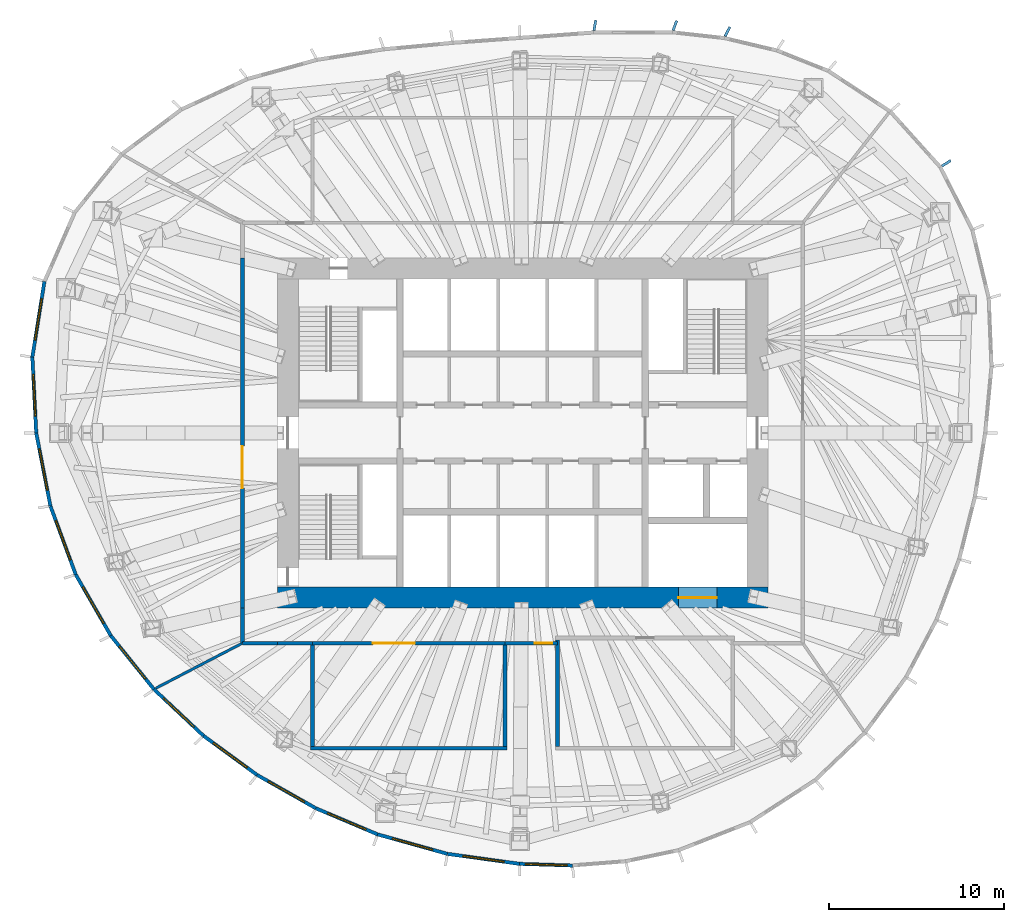
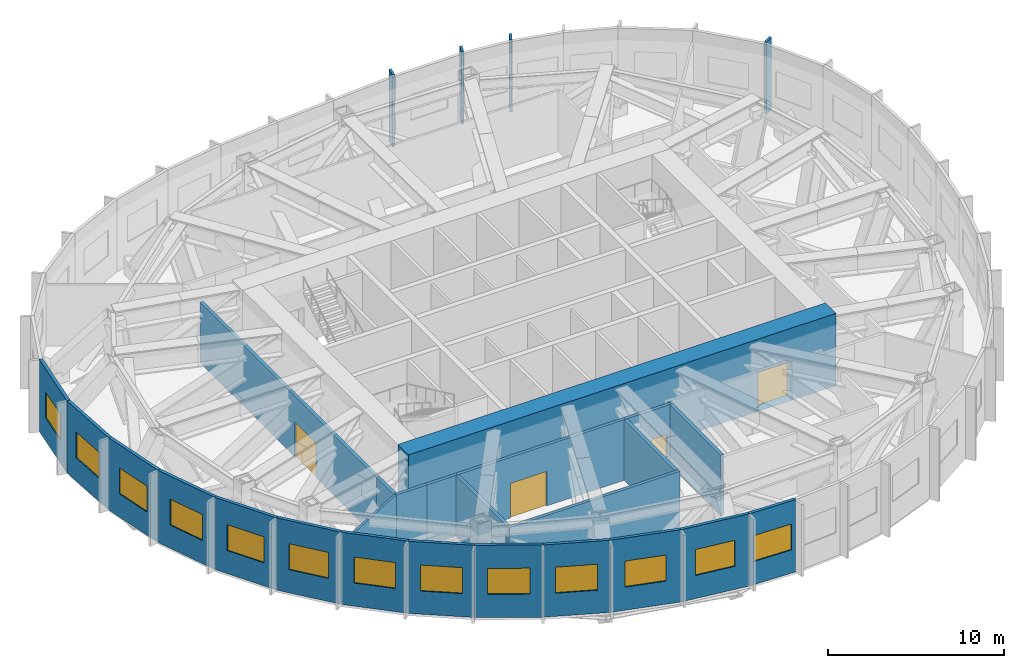
# One storey, part 6 of 11: 25 walls, 13 windows, 4 doors, 4 plates, 17 openings.
"""IFC4 building model written with IfcOpenShell, lengths in metres."""

from ifc_helpers import new_model, si_unit, direction, frame, frame_2d, origin, origin_2d, place, context, subcontext, project, spatial, rectangle, extrude, material, layer, layer_set, type_object, element, fill, save


model = new_model("IFC4")

# Units and contexts
model_context = context("Model", 3, precision=1e-05, world=origin(), true_north=direction((0.0, 1.0)))
body_context = subcontext(model_context, "Body", "Model", "MODEL_VIEW")
ifc_project = project(units=[si_unit("LENGTHUNIT", "METRE"), si_unit("AREAUNIT", "SQUARE_METRE"), si_unit("VOLUMEUNIT", "CUBIC_METRE"), si_unit("PLANEANGLEUNIT", "RADIAN"), si_unit("MASSUNIT", "GRAM", prefix="KILO")], contexts=[model_context])

# Site, building, storey
site_placement = place(None, origin())
site = spatial("IfcSite", under=ifc_project, at=site_placement, CompositionType="ELEMENT")
building_placement = place(site_placement, origin())
building = spatial("IfcBuilding", under=site, at=building_placement, Name="Ghaith Harvest Tower", CompositionType="ELEMENT")
storey_placement = place(building_placement, frame((0.0, 0.0, 266.199951171875)))
storey = spatial("IfcBuildingStorey", under=building, at=storey_placement, Name="L59", CompositionType="ELEMENT", Elevation=266.199951171875)

# Plates
ifc_material_1 = material(Name="Glassfibre-reinforced concrete", Category="concrete")
ifc_layer_1 = layer(ifc_material_1, 0.14990234375)
ifc_layer_set_1 = layer_set([ifc_layer_1], Name="SUN-BREAKER FIN 600x150")
plate_type = type_object("IfcPlateType", Name="SUN-BREAKER FIN 600x150", PredefinedType="USERDEFINED", material=ifc_layer_set_1)
for number, where, z_axis, x_axis, name in (
    (1, (24.19482421875, 15.397705078125, 0.0), (0.0, 0.0, 1.0), (0.843643971464, 0.536903016766, 0.0), "Sun-breaker fin 03.1 L59"),
    (2, (11.699951171875, 22.91796875, 0.0), (0.0, 0.0, 1.0), (0.454690809683, 0.890649351647, 0.0), "Sun-breaker fin 04.3 L59"),
    (3, (8.697265625, 23.26513671875, 0.0), (0.0, 0.0, 1.0), (0.35016769709, 0.936687025593, 0.0), "Sun-breaker fin 05.1 L59"),
    (4, (4.125732421875, 23.2734375, 0.0), (0.0, 0.0, 1.0), (0.174554362122, 0.984647538292, 0.0), "Sun-breaker fin 05.2 L59"),
):
    element("IfcPlate", number, at=place(storey_placement, frame(where, z_axis=z_axis, x_axis=x_axis)), inside=storey, type_object=plate_type, Name=name, ObjectType="SUN-BREAKER FIN", PredefinedType="USERDEFINED", context=body_context, shape_type="SweptSolid", body=[
        extrude(rectangle(XDim=0.60009765625, YDim=0.14990234375, at=origin_2d()), origin(), (0.0, 0.0, 1.0), 5.0),
    ])

# Walls
ifc_material_2 = material(Name="Concrete blockwork, 1-hour", Category="masonry")
ifc_layer_2 = layer(ifc_material_2, 0.215087890625)
ifc_layer_set_2 = layer_set([ifc_layer_2], Name="BLOCKWORK WALL 215")
wall_type_1 = type_object("IfcWallType", Name="BLOCKWORK WALL 215", PredefinedType="PARTITIONING", material=ifc_layer_set_2)
for number, where, z_axis, x_axis, name in (
    (5, (-16.0, -12.0, 0.0), (0.0, 0.0, 1.0), (1.0, 0.0, 0.0), "Plant room wall L59"),
    (6, (-14.0, -12.0, 0.0), (0.0, 0.0, 1.0), (1.0, 0.0, 0.0), "Plant room wall L59"),
):
    element("IfcWall", number, at=place(storey_placement, frame(where, z_axis=z_axis, x_axis=x_axis)), inside=storey, type_object=wall_type_1, Name=name, PredefinedType="PARTITIONING", context=body_context, shape_type="SweptSolid", body=[
        extrude(rectangle(XDim=2.0, YDim=0.215087890625, at=frame_2d((1.0, 0.0))), origin(), (0.0, 0.0, 1.0), 4.199951171875),
    ])

# Wall, opening, door
wall_1_placement = place(storey_placement, frame((-1.0, -12.0, 0.0), z_axis=(0.0, 0.0, 1.0), x_axis=(1.0, 0.0, 0.0)))
wall_1 = element("IfcWall", 7, at=wall_1_placement, inside=storey, type_object=wall_type_1, Name="Plant room wall L59", PredefinedType="PARTITIONING", context=body_context, shape_type="SweptSolid", body=[
    extrude(rectangle(XDim=3.0, YDim=0.215087890625, at=frame_2d((1.5, 0.0))), origin(), (0.0, 0.0, 1.0), 4.199951171875),
])
opening_1_placement = place(wall_1_placement, frame((1.699951171875, 0.0, 0.0)))
opening_1 = element("IfcOpeningElement", 8, at=opening_1_placement, cuts=wall_1, Name="Opening 59-026", PredefinedType="OPENING", context=body_context, shape_type="SweptSolid", body=[
    extrude(rectangle(XDim=1.0, YDim=2.199951171875, at=frame_2d((0.5, 1.10009765625))), frame((0.0, 0.11767578125, 0.0), z_axis=(0.0, -1.0, 0.0), x_axis=(1.0, 0.0, 0.0)), (0.0, 0.0, 1.0), 0.235107421875),
])
ifc_material_3 = material(Name="Timber door", Category="wood")
door_type_1 = type_object("IfcDoorType", Name="D1 SINGLE 1000x2200", OperationType="SINGLE_SWING_LEFT", PredefinedType="DOOR", material=ifc_material_3)
door_1_placement = place(opening_1_placement, origin())
door_1 = element("IfcDoor", 9, at=door_1_placement, inside=storey, type_object=door_type_1, Name="Pump room south door", OperationType="SINGLE_SWING_RIGHT", OverallHeight=2.199951171875, OverallWidth=1.0, PredefinedType="DOOR", context=body_context, shape_type="SweptSolid", body=[
    extrude(rectangle(XDim=1.0, YDim=2.199951171875, at=frame_2d((0.5, 1.10009765625))), frame((0.0, 0.02490234375, 0.0), z_axis=(0.0, -1.0, 0.0), x_axis=(1.0, 0.0, 0.0)), (0.0, 0.0, 1.0), 0.050048828125),
])
fill(opening_1, door_1)

wall_2_placement = place(storey_placement, frame((-16.0, 10.0, 0.0), z_axis=(0.0, 0.0, 1.0), x_axis=(0.0, -1.0, 0.0)))
wall_2 = element("IfcWall", 10, at=wall_2_placement, inside=storey, type_object=wall_type_1, Name="Plant room wall L59", PredefinedType="PARTITIONING", context=body_context, shape_type="SweptSolid", body=[
    extrude(rectangle(XDim=20.0, YDim=0.215087890625, at=frame_2d((10.0, 0.0))), origin(), (0.0, 0.0, 1.0), 4.199951171875),
])
opening_2_placement = place(wall_2_placement, frame((10.75, 0.0, 0.0)))
opening_2 = element("IfcOpeningElement", 11, at=opening_2_placement, cuts=wall_2, Name="Opening 59-027", PredefinedType="OPENING", context=body_context, shape_type="SweptSolid", body=[
    extrude(rectangle(XDim=2.39990234375, YDim=2.39990234375, at=frame_2d((1.199951171875, 1.199951171875))), frame((0.0, 0.11767578125, 0.0), z_axis=(0.0, -1.0, 0.0), x_axis=(1.0, 0.0, 0.0)), (0.0, 0.0, 1.0), 0.235107421875),
])
ifc_material_4 = material(Name="Timber door", Category="wood")
door_type_2 = type_object("IfcDoorType", Name="D10 PLANT PAIR 2400x2400", OperationType="DOUBLE_DOOR_SINGLE_SWING", PredefinedType="DOOR", material=ifc_material_4)
door_2_placement = place(opening_2_placement, origin())
door_2 = element("IfcDoor", 12, at=door_2_placement, inside=storey, type_object=door_type_2, Name="Mechanical plant room west door", OperationType="DOUBLE_DOOR_SINGLE_SWING", OverallHeight=2.39990234375, OverallWidth=2.39990234375, PredefinedType="DOOR", context=body_context, shape_type="SweptSolid", body=[
    extrude(rectangle(XDim=2.39990234375, YDim=2.39990234375, at=frame_2d((1.199951171875, 1.199951171875))), frame((0.0, 0.02490234375, 0.0), z_axis=(0.0, -1.0, 0.0), x_axis=(1.0, 0.0, 0.0)), (0.0, 0.0, 1.0), 0.050048828125),
])
fill(opening_2, door_2)

# Walls
wall_3_placement = place(storey_placement, frame((-16.0, -10.0, 0.0), z_axis=(0.0, 0.0, 1.0), x_axis=(0.0, -1.0, 0.0)))
element("IfcWall", 13, at=wall_3_placement, inside=storey, type_object=wall_type_1, Name="Plant room wall L59", PredefinedType="PARTITIONING", context=body_context, shape_type="SweptSolid", body=[
    extrude(rectangle(XDim=2.0, YDim=0.215087890625, at=frame_2d((1.0, 0.0))), origin(), (0.0, 0.0, 1.0), 4.199951171875),
])
wall_4_placement = place(storey_placement, frame((-12.107421875, -18.0, 0.0), z_axis=(0.0, 0.0, 1.0), x_axis=(1.0, 0.0, 0.0)))
element("IfcWall", 14, at=wall_4_placement, inside=storey, type_object=wall_type_1, Name="Partition L59-02", PredefinedType="PARTITIONING", context=body_context, shape_type="SweptSolid", body=[
    extrude(rectangle(XDim=11.21484375, YDim=0.215087890625, at=frame_2d((5.607421875, 0.0))), origin(), (0.0, 0.0, 1.0), 4.199951171875),
])

# Wall, opening, door
wall_5_placement = place(storey_placement, frame((-12.107421875, -12.0, 0.0), z_axis=(0.0, 0.0, 1.0), x_axis=(1.0, 0.0, 0.0)))
wall_5 = element("IfcWall", 15, at=wall_5_placement, inside=storey, type_object=wall_type_1, Name="Partition L59-02", PredefinedType="PARTITIONING", context=body_context, shape_type="SweptSolid", body=[
    extrude(rectangle(XDim=11.21484375, YDim=0.215087890625, at=frame_2d((5.607421875, 0.0))), origin(), (0.0, 0.0, 1.0), 4.199951171875),
])
opening_3_placement = place(wall_5_placement, frame((3.5576171875, 0.0, 0.0)))
opening_3 = element("IfcOpeningElement", 16, at=opening_3_placement, cuts=wall_5, Name="Opening 59-022", PredefinedType="OPENING", context=body_context, shape_type="SweptSolid", body=[
    extrude(rectangle(XDim=2.39990234375, YDim=2.39990234375, at=frame_2d((1.199951171875, 1.199951171875))), frame((0.0, 0.11767578125, 0.0), z_axis=(0.0, -1.0, 0.0), x_axis=(1.0, 0.0, 0.0)), (0.0, 0.0, 1.0), 0.235107421875),
])
door_3_placement = place(opening_3_placement, origin())
door_3 = element("IfcDoor", 17, at=door_3_placement, inside=storey, type_object=door_type_2, Name="Water tank room door", OperationType="DOUBLE_DOOR_SINGLE_SWING", OverallHeight=2.39990234375, OverallWidth=2.39990234375, PredefinedType="DOOR", context=body_context, shape_type="SweptSolid", body=[
    extrude(rectangle(XDim=2.39990234375, YDim=2.39990234375, at=frame_2d((1.199951171875, 1.199951171875))), frame((0.0, 0.02490234375, 0.0), z_axis=(0.0, -1.0, 0.0), x_axis=(1.0, 0.0, 0.0)), (0.0, 0.0, 1.0), 0.050048828125),
])
fill(opening_3, door_3)

# Walls
for number, where, z_axis, x_axis, name in (
    (18, (-12.0, -17.892578125, 0.0), (0.0, 0.0, 1.0), (0.0, 1.0, 0.0), "Partition L59-02"),
    (19, (-1.0, -17.892578125, 0.0), (0.0, 0.0, 1.0), (0.0, 1.0, 0.0), "Partition L59-02"),
):
    element("IfcWall", number, at=place(storey_placement, frame(where, z_axis=z_axis, x_axis=x_axis)), inside=storey, type_object=wall_type_1, Name=name, PredefinedType="PARTITIONING", context=body_context, shape_type="SweptSolid", body=[
        extrude(rectangle(XDim=5.78515625, YDim=0.215087890625, at=frame_2d((2.892578125, 0.0))), origin(), (0.0, 0.0, 1.0), 4.199951171875),
    ])
wall_6_placement = place(storey_placement, frame((2.0, -17.892578125, 0.0), z_axis=(0.0, 0.0, 1.0), x_axis=(0.0, 1.0, 0.0)))
element("IfcWall", 20, at=wall_6_placement, inside=storey, type_object=wall_type_1, Name="Partition L59-03", PredefinedType="PARTITIONING", context=body_context, shape_type="SweptSolid", body=[
    extrude(rectangle(XDim=6.0849609375, YDim=0.215087890625, at=frame_2d((3.04248046875, 0.0))), origin(), (0.0, 0.0, 1.0), 4.199951171875),
])

# Wall, opening, door
ifc_material_5 = material(Name="Concrete C60/75", Category="concrete")
ifc_layer_3 = layer(ifc_material_5, 1.199951171875)
ifc_layer_set_3 = layer_set([ifc_layer_3], Name="CORE WALL CW1200 C60")
wall_type_2 = type_object("IfcWallType", Name="CORE WALL CW1200 C60", PredefinedType="SHEAR", material=ifc_layer_set_3)
wall_7_placement = place(storey_placement, frame((-14.0, -9.39990234375, 0.0), z_axis=(0.0, 0.0, 1.0), x_axis=(1.0, 0.0, 0.0)))
wall_7 = element("IfcWall", 21, at=wall_7_placement, inside=storey, type_object=wall_type_2, Name="Core wall S L59", PredefinedType="SHEAR", context=body_context, shape_type="SweptSolid", body=[
    extrude(rectangle(XDim=28.0, YDim=1.199951171875, at=frame_2d((14.0, 0.0))), origin(), (0.0, 0.0, 1.0), 5.0),
])
opening_4_placement = place(wall_7_placement, frame((22.89990234375, 0.0, 0.0)))
opening_4 = element("IfcOpeningElement", 22, at=opening_4_placement, cuts=wall_7, Name="Opening 59-020", PredefinedType="OPENING", context=body_context, shape_type="SweptSolid", body=[
    extrude(rectangle(XDim=2.199951171875, YDim=2.699951171875, at=frame_2d((1.10009765625, 1.35009765625))), frame((0.0, 0.60986328125, 0.0), z_axis=(0.0, -1.0, 0.0), x_axis=(1.0, 0.0, 0.0)), (0.0, 0.0, 1.0), 1.219970703125),
])
ifc_material_6 = material(Name="Steel fire door", Category="steel")
door_type_3 = type_object("IfcDoorType", Name="LD3 LANDING 2200x2700", OperationType="DOUBLE_DOOR_SLIDING", PredefinedType="DOOR", material=ifc_material_6)
door_4_placement = place(opening_4_placement, origin())
door_4 = element("IfcDoor", 23, at=door_4_placement, inside=storey, type_object=door_type_3, Name="Landing door, goods lift GL1", OperationType="DOUBLE_DOOR_SLIDING", OverallHeight=2.699951171875, OverallWidth=2.199951171875, PredefinedType="DOOR", context=body_context, shape_type="SweptSolid", body=[
    extrude(rectangle(XDim=2.199951171875, YDim=2.699951171875, at=frame_2d((1.10009765625, 1.35009765625))), frame((0.0, 0.02490234375, 0.0), z_axis=(0.0, -1.0, 0.0), x_axis=(1.0, 0.0, 0.0)), (0.0, 0.0, 1.0), 0.050048828125),
])
fill(opening_4, door_4)

# Wall
ifc_material_7 = material(Name="Gypsum board on steel studs", Category="steel")
ifc_layer_4 = layer(ifc_material_7, 0.14990234375)
ifc_layer_set_4 = layer_set([ifc_layer_4], Name="PARTITION 150")
wall_type_3 = type_object("IfcWallType", Name="PARTITION 150", PredefinedType="PARTITIONING", material=ifc_layer_set_4)
wall_8_placement = place(storey_placement, frame((-16.017578125, -12.00927734375, 0.0), z_axis=(0.0, 0.0, 1.0), x_axis=(-0.886831549241, -0.462092851351, 0.0)))
element("IfcWall", 24, at=wall_8_placement, inside=storey, type_object=wall_type_3, Name="Partition L59 zone division", PredefinedType="PARTITIONING", context=body_context, shape_type="SweptSolid", body=[
    extrude(rectangle(XDim=5.555419921875, YDim=0.14990234375, at=frame_2d((2.77783203125, 0.0))), origin(), (0.0, 0.0, 1.0), 4.199951171875),
])

# Wall, opening, window
ifc_material_8 = material(Name="Steel, black insulated metal cladding panel", Category="steel")
ifc_layer_5 = layer(ifc_material_8, 0.199951171875)
ifc_layer_set_5 = layer_set([ifc_layer_5], Name="PLANT ENCLOSURE WALL 200")
wall_type_4 = type_object("IfcWallType", Name="PLANT ENCLOSURE WALL 200", PredefinedType="SOLIDWALL", material=ifc_layer_set_5)
wall_9_placement = place(storey_placement, frame((-27.306640625, 8.654052734375, 0.0), z_axis=(0.0, 0.0, 1.0), x_axis=(-0.157459866389, -0.987525387257, 0.0)))
wall_9 = element("IfcWall", 25, at=wall_9_placement, inside=storey, type_object=wall_type_4, Name="Plant enclosure wall 10.1 L59", PredefinedType="SOLIDWALL", context=body_context, shape_type="SweptSolid", body=[
    extrude(rectangle(XDim=4.378662109375, YDim=0.199951171875, at=frame_2d((2.189453125, 0.0))), origin(), (0.0, 0.0, 1.0), 5.0),
])
opening_5_placement = place(wall_9_placement, frame((0.9892578125, 0.0, 1.60009765625)))
opening_5 = element("IfcOpeningElement", 26, at=opening_5_placement, cuts=wall_9, Name="Opening LV1", PredefinedType="OPENING", context=body_context, shape_type="SweptSolid", body=[
    extrude(rectangle(XDim=2.39990234375, YDim=1.800048828125, at=frame_2d((1.199951171875, 0.89990234375))), frame((0.0, 0.10986328125, 0.0), z_axis=(0.0, -1.0, 0.0), x_axis=(1.0, 0.0, 0.0)), (0.0, 0.0, 1.0), 0.219970703125),
])
ifc_material_9 = material(Name="Aluminium louvre, black", Category="aluminium")
window_type = type_object("IfcWindowType", Name="LOUVRE L1 2400x1800", PartitioningType="SINGLE_PANEL", PredefinedType="WINDOW", material=ifc_material_9)
window_1_placement = place(opening_5_placement, origin())
window_1 = element("IfcWindow", 27, at=window_1_placement, inside=storey, type_object=window_type, Name="Plant louvre 10.1 L59", OverallHeight=1.800048828125, OverallWidth=2.39990234375, PartitioningType="SINGLE_PANEL", PredefinedType="WINDOW", context=body_context, shape_type="SweptSolid", body=[
    extrude(rectangle(XDim=2.39990234375, YDim=1.800048828125, at=frame_2d((1.199951171875, 0.89990234375))), frame((0.0, 0.030029296875, 0.0), z_axis=(0.0, -1.0, 0.0), x_axis=(1.0, 0.0, 0.0)), (0.0, 0.0, 1.0), 0.06005859375),
])
fill(opening_5, window_1)

wall_10_placement = place(storey_placement, frame((-27.99609375, 4.330078125, 0.0), z_axis=(0.0, 0.0, 1.0), x_axis=(0.051016026063, -0.998697834725, 0.0)))
wall_10 = element("IfcWall", 28, at=wall_10_placement, inside=storey, type_object=wall_type_4, Name="Plant enclosure wall 10.2 L59", PredefinedType="SOLIDWALL", context=body_context, shape_type="SweptSolid", body=[
    extrude(rectangle(XDim=4.335693359375, YDim=0.199951171875, at=frame_2d((2.16796875, 0.0))), origin(), (0.0, 0.0, 1.0), 5.0),
])
opening_6_placement = place(wall_10_placement, frame((0.968017578125, 0.0, 1.60009765625)))
opening_6 = element("IfcOpeningElement", 29, at=opening_6_placement, cuts=wall_10, Name="Opening LV1", PredefinedType="OPENING", context=body_context, shape_type="SweptSolid", body=[
    extrude(rectangle(XDim=2.39990234375, YDim=1.800048828125, at=frame_2d((1.199951171875, 0.89990234375))), frame((0.0, 0.10986328125, 0.0), z_axis=(0.0, -1.0, 0.0), x_axis=(1.0, 0.0, 0.0)), (0.0, 0.0, 1.0), 0.219970703125),
])
window_2_placement = place(opening_6_placement, origin())
window_2 = element("IfcWindow", 30, at=window_2_placement, inside=storey, type_object=window_type, Name="Plant louvre 10.2 L59", OverallHeight=1.800048828125, OverallWidth=2.39990234375, PartitioningType="SINGLE_PANEL", PredefinedType="WINDOW", context=body_context, shape_type="SweptSolid", body=[
    extrude(rectangle(XDim=2.39990234375, YDim=1.800048828125, at=frame_2d((1.199951171875, 0.89990234375))), frame((0.0, 0.030029296875, 0.0), z_axis=(0.0, -1.0, 0.0), x_axis=(1.0, 0.0, 0.0)), (0.0, 0.0, 1.0), 0.06005859375),
])
fill(opening_6, window_2)

wall_11_placement = place(storey_placement, frame((-27.77490234375, 0.0, 0.0), z_axis=(0.0, 0.0, 1.0), x_axis=(0.190498959365, -0.981687397536, 0.0)))
wall_11 = element("IfcWall", 31, at=wall_11_placement, inside=storey, type_object=wall_type_4, Name="Plant enclosure wall 11.1 L59", PredefinedType="SOLIDWALL", context=body_context, shape_type="SweptSolid", body=[
    extrude(rectangle(XDim=4.24853515625, YDim=0.199951171875, at=frame_2d((2.124267578125, 0.0))), origin(), (0.0, 0.0, 1.0), 5.0),
])
opening_7_placement = place(wall_11_placement, frame((0.92431640625, 0.0, 1.60009765625)))
opening_7 = element("IfcOpeningElement", 32, at=opening_7_placement, cuts=wall_11, Name="Opening LV1", PredefinedType="OPENING", context=body_context, shape_type="SweptSolid", body=[
    extrude(rectangle(XDim=2.39990234375, YDim=1.800048828125, at=frame_2d((1.199951171875, 0.89990234375))), frame((0.0, 0.10986328125, 0.0), z_axis=(0.0, -1.0, 0.0), x_axis=(1.0, 0.0, 0.0)), (0.0, 0.0, 1.0), 0.219970703125),
])
window_3_placement = place(opening_7_placement, origin())
window_3 = element("IfcWindow", 33, at=window_3_placement, inside=storey, type_object=window_type, Name="Plant louvre 11.1 L59", OverallHeight=1.800048828125, OverallWidth=2.39990234375, PartitioningType="SINGLE_PANEL", PredefinedType="WINDOW", context=body_context, shape_type="SweptSolid", body=[
    extrude(rectangle(XDim=2.39990234375, YDim=1.800048828125, at=frame_2d((1.199951171875, 0.89990234375))), frame((0.0, 0.030029296875, 0.0), z_axis=(0.0, -1.0, 0.0), x_axis=(1.0, 0.0, 0.0)), (0.0, 0.0, 1.0), 0.06005859375),
])
fill(opening_7, window_3)

wall_12_placement = place(storey_placement, frame((-26.965576171875, -4.170654296875, 0.0), z_axis=(0.0, 0.0, 1.0), x_axis=(0.346377249231, -0.938095304974, 0.0)))
wall_12 = element("IfcWall", 34, at=wall_12_placement, inside=storey, type_object=wall_type_4, Name="Plant enclosure wall 11.2 L59", PredefinedType="SOLIDWALL", context=body_context, shape_type="SweptSolid", body=[
    extrude(rectangle(XDim=4.175537109375, YDim=0.199951171875, at=frame_2d((2.087890625, 0.0))), origin(), (0.0, 0.0, 1.0), 5.0),
])
opening_8_placement = place(wall_12_placement, frame((0.8876953125, 0.0, 1.60009765625)))
opening_8 = element("IfcOpeningElement", 35, at=opening_8_placement, cuts=wall_12, Name="Opening LV1", PredefinedType="OPENING", context=body_context, shape_type="SweptSolid", body=[
    extrude(rectangle(XDim=2.39990234375, YDim=1.800048828125, at=frame_2d((1.199951171875, 0.89990234375))), frame((0.0, 0.10986328125, 0.0), z_axis=(0.0, -1.0, 0.0), x_axis=(1.0, 0.0, 0.0)), (0.0, 0.0, 1.0), 0.219970703125),
])
window_4_placement = place(opening_8_placement, origin())
window_4 = element("IfcWindow", 36, at=window_4_placement, inside=storey, type_object=window_type, Name="Plant louvre 11.2 L59", OverallHeight=1.800048828125, OverallWidth=2.39990234375, PartitioningType="SINGLE_PANEL", PredefinedType="WINDOW", context=body_context, shape_type="SweptSolid", body=[
    extrude(rectangle(XDim=2.39990234375, YDim=1.800048828125, at=frame_2d((1.199951171875, 0.89990234375))), frame((0.0, 0.030029296875, 0.0), z_axis=(0.0, -1.0, 0.0), x_axis=(1.0, 0.0, 0.0)), (0.0, 0.0, 1.0), 0.06005859375),
])
fill(opening_8, window_4)

wall_13_placement = place(storey_placement, frame((-25.519287109375, -8.087646484375, 0.0), z_axis=(0.0, 0.0, 1.0), x_axis=(0.498255552443, -0.867030221192, 0.0)))
wall_13 = element("IfcWall", 37, at=wall_13_placement, inside=storey, type_object=wall_type_4, Name="Plant enclosure wall 12.1 L59", PredefinedType="SOLIDWALL", context=body_context, shape_type="SweptSolid", body=[
    extrude(rectangle(XDim=4.021728515625, YDim=0.199951171875, at=frame_2d((2.0107421875, 0.0))), origin(), (0.0, 0.0, 1.0), 5.0),
])
opening_9_placement = place(wall_13_placement, frame((0.81103515625, 0.0, 1.60009765625)))
opening_9 = element("IfcOpeningElement", 38, at=opening_9_placement, cuts=wall_13, Name="Opening LV1", PredefinedType="OPENING", context=body_context, shape_type="SweptSolid", body=[
    extrude(rectangle(XDim=2.39990234375, YDim=1.800048828125, at=frame_2d((1.199951171875, 0.89990234375))), frame((0.0, 0.10986328125, 0.0), z_axis=(0.0, -1.0, 0.0), x_axis=(1.0, 0.0, 0.0)), (0.0, 0.0, 1.0), 0.219970703125),
])
window_5_placement = place(opening_9_placement, origin())
window_5 = element("IfcWindow", 39, at=window_5_placement, inside=storey, type_object=window_type, Name="Plant louvre 12.1 L59", OverallHeight=1.800048828125, OverallWidth=2.39990234375, PartitioningType="SINGLE_PANEL", PredefinedType="WINDOW", context=body_context, shape_type="SweptSolid", body=[
    extrude(rectangle(XDim=2.39990234375, YDim=1.800048828125, at=frame_2d((1.199951171875, 0.89990234375))), frame((0.0, 0.030029296875, 0.0), z_axis=(0.0, -1.0, 0.0), x_axis=(1.0, 0.0, 0.0)), (0.0, 0.0, 1.0), 0.06005859375),
])
fill(opening_9, window_5)

wall_14_placement = place(storey_placement, frame((-23.515380859375, -11.57470703125, 0.0), z_axis=(0.0, 0.0, 1.0), x_axis=(0.627065360289, -0.778966644937, 0.0)))
wall_14 = element("IfcWall", 40, at=wall_14_placement, inside=storey, type_object=wall_type_4, Name="Plant enclosure wall 12.2 L59", PredefinedType="SOLIDWALL", context=body_context, shape_type="SweptSolid", body=[
    extrude(rectangle(XDim=3.939208984375, YDim=0.199951171875, at=frame_2d((1.9697265625, 0.0))), origin(), (0.0, 0.0, 1.0), 5.0),
])
opening_10_placement = place(wall_14_placement, frame((0.76953125, 0.0, 1.60009765625)))
opening_10 = element("IfcOpeningElement", 41, at=opening_10_placement, cuts=wall_14, Name="Opening LV1", PredefinedType="OPENING", context=body_context, shape_type="SweptSolid", body=[
    extrude(rectangle(XDim=2.39990234375, YDim=1.800048828125, at=frame_2d((1.199951171875, 0.89990234375))), frame((0.0, 0.10986328125, 0.0), z_axis=(0.0, -1.0, 0.0), x_axis=(1.0, 0.0, 0.0)), (0.0, 0.0, 1.0), 0.219970703125),
])
window_6_placement = place(opening_10_placement, origin())
window_6 = element("IfcWindow", 42, at=window_6_placement, inside=storey, type_object=window_type, Name="Plant louvre 12.2 L59", OverallHeight=1.800048828125, OverallWidth=2.39990234375, PartitioningType="SINGLE_PANEL", PredefinedType="WINDOW", context=body_context, shape_type="SweptSolid", body=[
    extrude(rectangle(XDim=2.39990234375, YDim=1.800048828125, at=frame_2d((1.199951171875, 0.89990234375))), frame((0.0, 0.030029296875, 0.0), z_axis=(0.0, -1.0, 0.0), x_axis=(1.0, 0.0, 0.0)), (0.0, 0.0, 1.0), 0.06005859375),
])
fill(opening_10, window_6)

wall_15_placement = place(storey_placement, frame((-21.045166015625, -14.643310546875, 0.0), z_axis=(0.0, 0.0, 1.0), x_axis=(0.729084595906, -0.684423591069, 0.0)))
wall_15 = element("IfcWall", 43, at=wall_15_placement, inside=storey, type_object=wall_type_4, Name="Plant enclosure wall 13.1 L59", PredefinedType="SOLIDWALL", context=body_context, shape_type="SweptSolid", body=[
    extrude(rectangle(XDim=3.870361328125, YDim=0.199951171875, at=frame_2d((1.93505859375, 0.0))), origin(), (0.0, 0.0, 1.0), 5.0),
])
opening_11_placement = place(wall_15_placement, frame((0.735107421875, 0.0, 1.60009765625)))
opening_11 = element("IfcOpeningElement", 44, at=opening_11_placement, cuts=wall_15, Name="Opening LV1", PredefinedType="OPENING", context=body_context, shape_type="SweptSolid", body=[
    extrude(rectangle(XDim=2.39990234375, YDim=1.800048828125, at=frame_2d((1.199951171875, 0.89990234375))), frame((0.0, 0.10986328125, 0.0), z_axis=(0.0, -1.0, 0.0), x_axis=(1.0, 0.0, 0.0)), (0.0, 0.0, 1.0), 0.219970703125),
])
window_7_placement = place(opening_11_placement, origin())
window_7 = element("IfcWindow", 45, at=window_7_placement, inside=storey, type_object=window_type, Name="Plant louvre 13.1 L59", OverallHeight=1.800048828125, OverallWidth=2.39990234375, PartitioningType="SINGLE_PANEL", PredefinedType="WINDOW", context=body_context, shape_type="SweptSolid", body=[
    extrude(rectangle(XDim=2.39990234375, YDim=1.800048828125, at=frame_2d((1.199951171875, 0.89990234375))), frame((0.0, 0.030029296875, 0.0), z_axis=(0.0, -1.0, 0.0), x_axis=(1.0, 0.0, 0.0)), (0.0, 0.0, 1.0), 0.06005859375),
])
fill(opening_11, window_7)

wall_16_placement = place(storey_placement, frame((-18.223388671875, -17.292236328125, 0.0), z_axis=(0.0, 0.0, 1.0), x_axis=(0.807410018134, -0.589990730958, 0.0)))
wall_16 = element("IfcWall", 46, at=wall_16_placement, inside=storey, type_object=wall_type_4, Name="Plant enclosure wall 13.2 L59", PredefinedType="SOLIDWALL", context=body_context, shape_type="SweptSolid", body=[
    extrude(rectangle(XDim=3.78759765625, YDim=0.199951171875, at=frame_2d((1.893798828125, 0.0))), origin(), (0.0, 0.0, 1.0), 5.0),
])
opening_12_placement = place(wall_16_placement, frame((0.69384765625, 0.0, 1.60009765625)))
opening_12 = element("IfcOpeningElement", 47, at=opening_12_placement, cuts=wall_16, Name="Opening LV1", PredefinedType="OPENING", context=body_context, shape_type="SweptSolid", body=[
    extrude(rectangle(XDim=2.39990234375, YDim=1.800048828125, at=frame_2d((1.199951171875, 0.89990234375))), frame((0.0, 0.10986328125, 0.0), z_axis=(0.0, -1.0, 0.0), x_axis=(1.0, 0.0, 0.0)), (0.0, 0.0, 1.0), 0.219970703125),
])
window_8_placement = place(opening_12_placement, origin())
window_8 = element("IfcWindow", 48, at=window_8_placement, inside=storey, type_object=window_type, Name="Plant louvre 13.2 L59", OverallHeight=1.800048828125, OverallWidth=2.39990234375, PartitioningType="SINGLE_PANEL", PredefinedType="WINDOW", context=body_context, shape_type="SweptSolid", body=[
    extrude(rectangle(XDim=2.39990234375, YDim=1.800048828125, at=frame_2d((1.199951171875, 0.89990234375))), frame((0.0, 0.030029296875, 0.0), z_axis=(0.0, -1.0, 0.0), x_axis=(1.0, 0.0, 0.0)), (0.0, 0.0, 1.0), 0.06005859375),
])
fill(opening_12, window_8)

wall_17_placement = place(storey_placement, frame((-15.165283203125, -19.52685546875, 0.0), z_axis=(0.0, 0.0, 1.0), x_axis=(0.869721110538, -0.493543503538, 0.0)))
wall_17 = element("IfcWall", 49, at=wall_17_placement, inside=storey, type_object=wall_type_4, Name="Plant enclosure wall 14.1 L59", PredefinedType="SOLIDWALL", context=body_context, shape_type="SweptSolid", body=[
    extrude(rectangle(XDim=3.86279296875, YDim=0.199951171875, at=frame_2d((1.931396484375, 0.0))), origin(), (0.0, 0.0, 1.0), 5.0),
])
opening_13_placement = place(wall_17_placement, frame((0.7314453125, 0.0, 1.60009765625)))
opening_13 = element("IfcOpeningElement", 50, at=opening_13_placement, cuts=wall_17, Name="Opening LV1", PredefinedType="OPENING", context=body_context, shape_type="SweptSolid", body=[
    extrude(rectangle(XDim=2.39990234375, YDim=1.800048828125, at=frame_2d((1.199951171875, 0.89990234375))), frame((0.0, 0.10986328125, 0.0), z_axis=(0.0, -1.0, 0.0), x_axis=(1.0, 0.0, 0.0)), (0.0, 0.0, 1.0), 0.219970703125),
])
window_9_placement = place(opening_13_placement, origin())
window_9 = element("IfcWindow", 51, at=window_9_placement, inside=storey, type_object=window_type, Name="Plant louvre 14.1 L59", OverallHeight=1.800048828125, OverallWidth=2.39990234375, PartitioningType="SINGLE_PANEL", PredefinedType="WINDOW", context=body_context, shape_type="SweptSolid", body=[
    extrude(rectangle(XDim=2.39990234375, YDim=1.800048828125, at=frame_2d((1.199951171875, 0.89990234375))), frame((0.0, 0.030029296875, 0.0), z_axis=(0.0, -1.0, 0.0), x_axis=(1.0, 0.0, 0.0)), (0.0, 0.0, 1.0), 0.06005859375),
])
fill(opening_13, window_9)

wall_18_placement = place(storey_placement, frame((-11.8056640625, -21.433349609375, 0.0), z_axis=(0.0, 0.0, 1.0), x_axis=(0.921194194977, -0.389103142035, 0.0)))
wall_18 = element("IfcWall", 52, at=wall_18_placement, inside=storey, type_object=wall_type_4, Name="Plant enclosure wall 14.2 L59", PredefinedType="SOLIDWALL", context=body_context, shape_type="SweptSolid", body=[
    extrude(rectangle(XDim=3.828125, YDim=0.199951171875, at=frame_2d((1.9140625, 0.0))), origin(), (0.0, 0.0, 1.0), 5.0),
])
opening_14_placement = place(wall_18_placement, frame((0.714111328125, 0.0, 1.60009765625)))
opening_14 = element("IfcOpeningElement", 53, at=opening_14_placement, cuts=wall_18, Name="Opening LV1", PredefinedType="OPENING", context=body_context, shape_type="SweptSolid", body=[
    extrude(rectangle(XDim=2.39990234375, YDim=1.800048828125, at=frame_2d((1.199951171875, 0.89990234375))), frame((0.0, 0.10986328125, 0.0), z_axis=(0.0, -1.0, 0.0), x_axis=(1.0, 0.0, 0.0)), (0.0, 0.0, 1.0), 0.219970703125),
])
window_10_placement = place(opening_14_placement, origin())
window_10 = element("IfcWindow", 54, at=window_10_placement, inside=storey, type_object=window_type, Name="Plant louvre 14.2 L59", OverallHeight=1.800048828125, OverallWidth=2.39990234375, PartitioningType="SINGLE_PANEL", PredefinedType="WINDOW", context=body_context, shape_type="SweptSolid", body=[
    extrude(rectangle(XDim=2.39990234375, YDim=1.800048828125, at=frame_2d((1.199951171875, 0.89990234375))), frame((0.0, 0.030029296875, 0.0), z_axis=(0.0, -1.0, 0.0), x_axis=(1.0, 0.0, 0.0)), (0.0, 0.0, 1.0), 0.06005859375),
])
fill(opening_14, window_10)

wall_19_placement = place(storey_placement, frame((-8.279296875, -22.9228515625, 0.0), z_axis=(0.0, 0.0, 1.0), x_axis=(0.963168951158, -0.268896953358, 0.0)))
wall_19 = element("IfcWall", 55, at=wall_19_placement, inside=storey, type_object=wall_type_4, Name="Plant enclosure wall 15.1 L59", PredefinedType="SOLIDWALL", context=body_context, shape_type="SweptSolid", body=[
    extrude(rectangle(XDim=4.13916015625, YDim=0.199951171875, at=frame_2d((2.069580078125, 0.0))), origin(), (0.0, 0.0, 1.0), 5.0),
])
opening_15_placement = place(wall_19_placement, frame((0.86962890625, 0.0, 1.60009765625)))
opening_15 = element("IfcOpeningElement", 56, at=opening_15_placement, cuts=wall_19, Name="Opening LV1", PredefinedType="OPENING", context=body_context, shape_type="SweptSolid", body=[
    extrude(rectangle(XDim=2.39990234375, YDim=1.800048828125, at=frame_2d((1.199951171875, 0.89990234375))), frame((0.0, 0.10986328125, 0.0), z_axis=(0.0, -1.0, 0.0), x_axis=(1.0, 0.0, 0.0)), (0.0, 0.0, 1.0), 0.219970703125),
])
window_11_placement = place(opening_15_placement, origin())
window_11 = element("IfcWindow", 57, at=window_11_placement, inside=storey, type_object=window_type, Name="Plant louvre 15.1 L59", OverallHeight=1.800048828125, OverallWidth=2.39990234375, PartitioningType="SINGLE_PANEL", PredefinedType="WINDOW", context=body_context, shape_type="SweptSolid", body=[
    extrude(rectangle(XDim=2.39990234375, YDim=1.800048828125, at=frame_2d((1.199951171875, 0.89990234375))), frame((0.0, 0.030029296875, 0.0), z_axis=(0.0, -1.0, 0.0), x_axis=(1.0, 0.0, 0.0)), (0.0, 0.0, 1.0), 0.06005859375),
])
fill(opening_15, window_11)

wall_20_placement = place(storey_placement, frame((-4.29248046875, -24.035888671875, 0.0), z_axis=(0.0, 0.0, 1.0), x_axis=(0.990604699192, -0.136756462143, 0.0)))
wall_20 = element("IfcWall", 58, at=wall_20_placement, inside=storey, type_object=wall_type_4, Name="Plant enclosure wall 15.2 L59", PredefinedType="SOLIDWALL", context=body_context, shape_type="SweptSolid", body=[
    extrude(rectangle(XDim=4.1630859375, YDim=0.199951171875, at=frame_2d((2.08154296875, 0.0))), origin(), (0.0, 0.0, 1.0), 5.0),
])
opening_16_placement = place(wall_20_placement, frame((0.881591796875, 0.0, 1.60009765625)))
opening_16 = element("IfcOpeningElement", 59, at=opening_16_placement, cuts=wall_20, Name="Opening LV1", PredefinedType="OPENING", context=body_context, shape_type="SweptSolid", body=[
    extrude(rectangle(XDim=2.39990234375, YDim=1.800048828125, at=frame_2d((1.199951171875, 0.89990234375))), frame((0.0, 0.10986328125, 0.0), z_axis=(0.0, -1.0, 0.0), x_axis=(1.0, 0.0, 0.0)), (0.0, 0.0, 1.0), 0.219970703125),
])
window_12_placement = place(opening_16_placement, origin())
window_12 = element("IfcWindow", 60, at=window_12_placement, inside=storey, type_object=window_type, Name="Plant louvre 15.2 L59", OverallHeight=1.800048828125, OverallWidth=2.39990234375, PartitioningType="SINGLE_PANEL", PredefinedType="WINDOW", context=body_context, shape_type="SweptSolid", body=[
    extrude(rectangle(XDim=2.39990234375, YDim=1.800048828125, at=frame_2d((1.199951171875, 0.89990234375))), frame((0.0, 0.030029296875, 0.0), z_axis=(0.0, -1.0, 0.0), x_axis=(1.0, 0.0, 0.0)), (0.0, 0.0, 1.0), 0.06005859375),
])
fill(opening_16, window_12)

wall_21_placement = place(storey_placement, frame((-0.16845703125, -24.605224609375, 0.0), z_axis=(0.0, 0.0, 1.0), x_axis=(0.999488496402, -0.031980393364, 0.0)))
wall_21 = element("IfcWall", 61, at=wall_21_placement, inside=storey, type_object=wall_type_4, Name="Plant enclosure wall 16.1 L59", PredefinedType="SOLIDWALL", context=body_context, shape_type="SweptSolid", body=[
    extrude(rectangle(XDim=3.015380859375, YDim=0.199951171875, at=frame_2d((1.5078125, 0.0))), origin(), (0.0, 0.0, 1.0), 5.0),
])
opening_17_placement = place(wall_21_placement, frame((0.3076171875, 0.0, 1.60009765625)))
opening_17 = element("IfcOpeningElement", 62, at=opening_17_placement, cuts=wall_21, Name="Opening LV1", PredefinedType="OPENING", context=body_context, shape_type="SweptSolid", body=[
    extrude(rectangle(XDim=2.39990234375, YDim=1.800048828125, at=frame_2d((1.199951171875, 0.89990234375))), frame((0.0, 0.10986328125, 0.0), z_axis=(0.0, -1.0, 0.0), x_axis=(1.0, 0.0, 0.0)), (0.0, 0.0, 1.0), 0.219970703125),
])
window_13_placement = place(opening_17_placement, origin())
window_13 = element("IfcWindow", 63, at=window_13_placement, inside=storey, type_object=window_type, Name="Plant louvre 16.1 L59", OverallHeight=1.800048828125, OverallWidth=2.39990234375, PartitioningType="SINGLE_PANEL", PredefinedType="WINDOW", context=body_context, shape_type="SweptSolid", body=[
    extrude(rectangle(XDim=2.39990234375, YDim=1.800048828125, at=frame_2d((1.199951171875, 0.89990234375))), frame((0.0, 0.030029296875, 0.0), z_axis=(0.0, -1.0, 0.0), x_axis=(1.0, 0.0, 0.0)), (0.0, 0.0, 1.0), 0.06005859375),
])
fill(opening_17, window_13)

save(model, "model.ifc")
